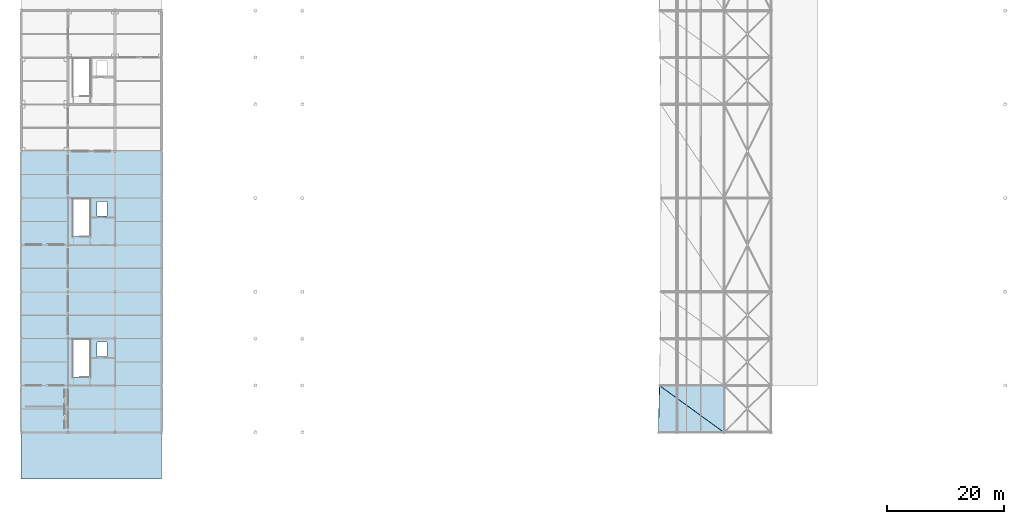
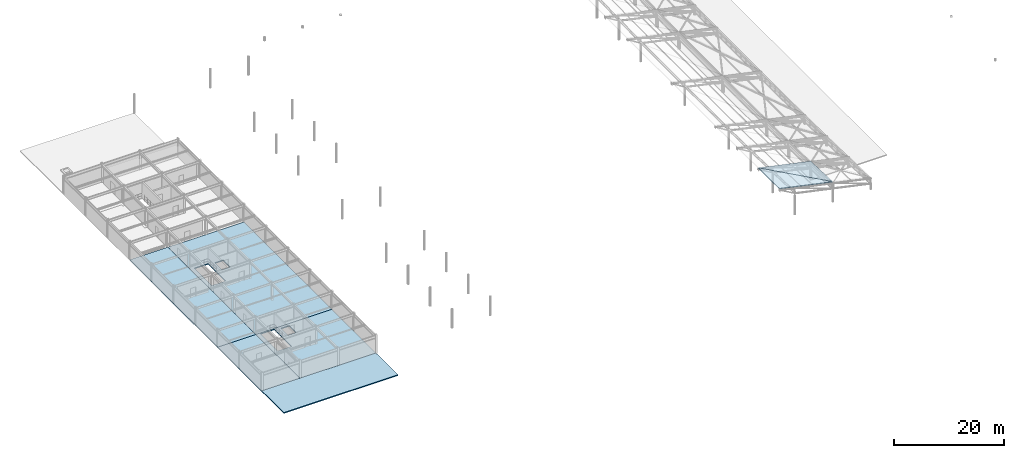
# One storey, part 24 of 41: 7 slabs.
"""IFC4 building model written with IfcOpenShell, lengths in metres."""

import ifcopenshell
import ifcopenshell.guid

model = None  # the IFC model being written
_history = None  # IfcOwnerHistory: only IFC2X3 demands one
_inside = {}  # id of a spatial element -> (the spatial element, [elements in it])
_under = {}  # id of a project, library or spatial element -> (it, [spatial elements below it])
_declared = {}  # id of a project -> (the project, [libraries it declares])
_typed = {}  # id of a type object -> (the type object, [elements of that type])
_made_of = {}  # id of a material, layer set ... -> (it, [elements and type objects made of it])


def new_model(schema):
    """Start an empty IFC model of exactly this schema.

    Asked for "IFC4X3", IfcOpenShell would pick the latest addendum, in which some entities
    have other attributes; the version numbers below select the first issue.
    IFC2X3 requires an IfcOwnerHistory on every rooted entity: one is made here for all.
    """
    global model, _history
    if schema == "IFC4X3":
        model = ifcopenshell.file(schema_version=(4, 3, 0, 0))
    else:
        model = ifcopenshell.file(schema=schema)
    _inside.clear()
    _under.clear()
    _declared.clear()
    _typed.clear()
    _made_of.clear()
    _history = None
    if model.schema == "IFC2X3":
        org = make("IfcOrganization", Name="unknown")
        user = make(
            "IfcPersonAndOrganization",
            ThePerson=make("IfcPerson", FamilyName="unknown"),
            TheOrganization=org,
        )
        app = make(
            "IfcApplication",
            ApplicationDeveloper=org,
            Version="unknown",
            ApplicationFullName="unknown",
            ApplicationIdentifier="unknown",
        )
        _history = make(
            "IfcOwnerHistory",
            OwningUser=user,
            OwningApplication=app,
            ChangeAction="ADDED",
            CreationDate=0,
        )
    return model


def make(cls, **values):
    """One entity of the class cls with the attributes given. An attribute that is None is left unset."""
    return model.create_entity(
        cls, **{name: value for name, value in values.items() if value is not None}
    )


def rooted(cls, **values):
    """An entity with a GlobalId (a new one), such as an element, a storey or a relation."""
    return make(cls, GlobalId=ifcopenshell.guid.new(), OwnerHistory=_history, **values)


def si_unit(unit_type, name, prefix=None):
    """IfcSIUnit, for example si_unit("LENGTHUNIT", "METRE", prefix="MILLI")."""
    return make("IfcSIUnit", UnitType=unit_type, Prefix=prefix, Name=name)


def assignment(units):
    """IfcUnitAssignment: the units of a project."""
    return None if units is None else make("IfcUnitAssignment", Units=units)


def point(xyz):
    """IfcCartesianPoint."""
    return None if xyz is None else make("IfcCartesianPoint", Coordinates=xyz)


def direction(xyz):
    """IfcDirection."""
    return None if xyz is None else make("IfcDirection", DirectionRatios=xyz)


def frame(location, z_axis=None, x_axis=None):
    """IfcAxis2Placement3D, a coordinate frame: its origin and axes. An axis left out is left unset."""
    return make(
        "IfcAxis2Placement3D",
        Location=point(location),
        Axis=direction(z_axis),
        RefDirection=direction(x_axis),
    )


def origin():
    """The frame at (0, 0, 0) with its axes left unset."""
    return frame((0.0, 0.0, 0.0))


def place(relative_to, where):
    """IfcLocalPlacement: puts the frame where relative to a parent placement (None: the world)."""
    return make(
        "IfcLocalPlacement", PlacementRelTo=relative_to, RelativePlacement=where
    )


def context(
    kind, dimensions, precision=None, world=None, true_north=None, identifier=None
):
    """IfcGeometricRepresentationContext, for example the 3D "Model" context."""
    return make(
        "IfcGeometricRepresentationContext",
        ContextIdentifier=identifier,
        ContextType=kind,
        CoordinateSpaceDimension=dimensions,
        Precision=precision,
        WorldCoordinateSystem=world,
        TrueNorth=true_north,
    )


def subcontext(parent, identifier, kind, view, scale=None):
    """IfcGeometricRepresentationSubContext, for example "Body" below "Model"."""
    return make(
        "IfcGeometricRepresentationSubContext",
        ContextIdentifier=identifier,
        ContextType=kind,
        ParentContext=parent,
        TargetScale=scale,
        TargetView=view,
    )


def project(units=None, contexts=None):
    """IfcProject with its units and contexts."""
    return rooted(
        "IfcProject",
        Name="project",
        RepresentationContexts=contexts,
        UnitsInContext=assignment(units),
    )


def spatial(cls, under=None, at=None, **own):
    """A site, building, storey or space (cls), placed at a placement, below another one or the project."""
    s = rooted(cls, ObjectPlacement=at, **own)
    if under is not None:
        _under.setdefault(under.id(), (under, []))[1].append(s)
    return s


def polyline(points):
    """IfcPolyline through the points."""
    return make("IfcPolyline", Points=[point(p) for p in points])


def outline(outer, holes=None, kind="AREA"):
    """IfcArbitraryClosedProfileDef: a profile drawn as a closed curve; with holes, ...WithVoids."""
    if holes is None:
        return make("IfcArbitraryClosedProfileDef", ProfileType=kind, OuterCurve=outer)
    return make(
        "IfcArbitraryProfileDefWithVoids",
        ProfileType=kind,
        OuterCurve=outer,
        InnerCurves=holes,
    )


def extrude(swept, where, along, depth):
    """IfcExtrudedAreaSolid: the profile swept, set in the frame where, extruded along a direction by depth."""
    return make(
        "IfcExtrudedAreaSolid",
        SweptArea=swept,
        Position=where,
        ExtrudedDirection=direction(along),
        Depth=depth,
    )


def shape(context_of_items, identifier, shape_type, items):
    """IfcShapeRepresentation: the items that make up one representation, for example the "Body"."""
    return make(
        "IfcShapeRepresentation",
        ContextOfItems=context_of_items,
        RepresentationIdentifier=identifier,
        RepresentationType=shape_type,
        Items=items,
    )


def material(Name=None, Category=None):
    """IfcMaterial."""
    return make("IfcMaterial", Name=Name, Category=Category)


def layer(
    of_material, thickness, ventilated=None, Name=None, Category=None, Priority=None
):
    """IfcMaterialLayer: one layer of a wall or slab, of a material (None: an air gap)."""
    return make(
        "IfcMaterialLayer",
        Material=of_material,
        LayerThickness=thickness,
        IsVentilated=ventilated,
        Name=Name,
        Category=Category,
        Priority=Priority,
    )


def layer_set(layers, Name=None):
    """IfcMaterialLayerSet."""
    return make("IfcMaterialLayerSet", MaterialLayers=layers, LayerSetName=Name)


def made_of(thing, what):
    """Note that an element or type object is made of a material, layer set ...; save() writes the relation."""
    if what is not None:
        _made_of.setdefault(what.id(), (what, []))[1].append(thing)
    return thing


def type_object(cls, material=None, **own):
    """A type object (cls), such as IfcWallType, which elements share."""
    return made_of(rooted(cls, **own), material)


def element(
    cls,
    number,
    at=None,
    inside=None,
    cuts=None,
    type_object=None,
    material=None,
    context=None,
    identifier="Body",
    shape_type=None,
    held_by="IfcProductDefinitionShape",
    body=None,
    shapes=None,
    **own,
):
    """One element of the class cls, such as IfcWall. Its Tag is "e" and its number.

    at: its placement. inside: the storey or other place that contains it. cuts: it is an
    opening in that element (IfcRelVoidsElement). A single representation is given by context,
    identifier, shape_type and body (its items); several are given by shapes. held_by: the class
    of the entity that holds the representations. save() writes the other relations.
    """
    e = rooted(cls, Tag="e%d" % number, ObjectPlacement=at, **own)
    if body is not None:
        shapes = [shape(context, identifier, shape_type, body)]
    if shapes is not None:
        e.Representation = make(held_by, Representations=shapes)
    if inside is not None:
        _inside.setdefault(inside.id(), (inside, []))[1].append(e)
    if cuts is not None:
        rooted(
            "IfcRelVoidsElement", RelatingBuildingElement=cuts, RelatedOpeningElement=e
        )
    if type_object is not None:
        _typed.setdefault(type_object.id(), (type_object, []))[1].append(e)
    return made_of(e, material)


def aggregate(whole, parts):
    """IfcRelAggregates: a whole, such as a stair, and the parts it consists of."""
    return rooted("IfcRelAggregates", RelatingObject=whole, RelatedObjects=parts)


def save(model, path):
    """Write the relations noted so far, then the file.

    IfcRelAggregates (storeys below a building ...), IfcRelContainedInSpatialStructure (elements
    in a storey), IfcRelDefinesByType, IfcRelAssociatesMaterial and IfcRelDeclares: one each for
    every whole, place, type object, material and project.
    """
    for whole, parts in _under.values():
        aggregate(whole, parts)
    for where, things in _inside.values():
        rooted(
            "IfcRelContainedInSpatialStructure",
            RelatedElements=things,
            RelatingStructure=where,
        )
    for kind, things in _typed.values():
        rooted("IfcRelDefinesByType", RelatedObjects=things, RelatingType=kind)
    for what, things in _made_of.values():
        rooted("IfcRelAssociatesMaterial", RelatedObjects=things, RelatingMaterial=what)
    for by, libraries in _declared.values():
        rooted("IfcRelDeclares", RelatingContext=by, RelatedDefinitions=libraries)
    model.write(path)


model = new_model("IFC4")

# Units and contexts
model_context = context("Model", 3, precision=1e-05, world=origin(), true_north=direction((0.0, 1.0)))
body_context = subcontext(model_context, "Body", "Model", "MODEL_VIEW")
ifc_project = project(units=[si_unit("LENGTHUNIT", "METRE"), si_unit("AREAUNIT", "SQUARE_METRE"), si_unit("VOLUMEUNIT", "CUBIC_METRE"), si_unit("PLANEANGLEUNIT", "RADIAN"), si_unit("MASSUNIT", "GRAM", prefix="KILO")], contexts=[model_context])

# Site, building, storey
site_placement = place(None, origin())
site = spatial("IfcSite", under=ifc_project, at=site_placement, CompositionType="ELEMENT")
building_placement = place(site_placement, origin())
building = spatial("IfcBuilding", under=site, at=building_placement, Name="Haebicheon Civic Stadium", CompositionType="ELEMENT")
storey_placement = place(building_placement, frame((0.0, 0.0, 27.0)))
storey = spatial("IfcBuildingStorey", under=building, at=storey_placement, Name="L07", CompositionType="ELEMENT", Elevation=27.0)

# Slabs
ifc_material_1 = material(Name="White painted steel SM490", Category="steel")
ifc_layer_1 = layer(ifc_material_1, 0.159912109375, Name="White painted steel SM490")
ifc_layer_set_1 = layer_set([ifc_layer_1], Name="White painted steel SM490")
slab_type_1 = type_object("IfcSlabType", Name="SLB-CAN-160", PredefinedType="ROOF", material=ifc_layer_set_1)
slab_1_placement = place(storey_placement, frame((144.0, 48.0, 4.4599609375), z_axis=(0.21006294818, 0.035328794769, 0.977049350884), x_axis=(-0.977659661495, 0.0, 0.210194163299)))
element("IfcSlab", 1, at=slab_1_placement, inside=storey, type_object=slab_type_1, material=ifc_layer_set_1, Name="CAN-EAST curled canopy facet 1.CT-A", PredefinedType="ROOF", context=body_context, shape_type="SweptSolid", body=[
    extrude(outline(polyline([(0.0, 0.0), (11.455879395437805, 0.0), (11.21602784222757, -8.00499717326408), (0.0, 0.0)])), origin(), (0.0, 0.0, -1.0), 0.159912109375),
])
slab_2_placement = place(storey_placement, frame((144.0, 48.0, 4.4599609375), z_axis=(0.210045619132, 0.035303708377, 0.977053983185), x_axis=(-0.80008473718, 0.58056549599, 0.151023568354)))
element("IfcSlab", 2, at=slab_2_placement, inside=storey, type_object=slab_type_1, material=ifc_layer_set_1, Name="CAN-EAST curled canopy facet 1.CT-B", PredefinedType="ROOF", context=body_context, shape_type="SweptSolid", body=[
    extrude(outline(polyline([(0.0, 0.0), (13.779668366894395, -8.881784197001252e-16), (4.600868717690557, -6.550997189091346), (0.0, 0.0)])), origin(), (0.0, 0.0, -1.0), 0.159912109375),
])
ifc_material_2 = material(Name="Concrete C35/45", Category="concrete")
ifc_layer_2 = layer(ifc_material_2, 0.22998046875, Name="Concrete C35/45")
ifc_layer_set_2 = layer_set([ifc_layer_2], Name="Concrete C35/45")
slab_type_2 = type_object("IfcSlabType", Name="SLB-FLR-230", PredefinedType="FLOOR", material=ifc_layer_set_2)
slab_3_placement = place(storey_placement, frame((0.0, 0.0, -0.22998046875)))
element("IfcSlab", 3, at=slab_3_placement, inside=storey, type_object=slab_type_2, material=ifc_layer_set_2, Name="L07 V1 structural slab 1.1", PredefinedType="FLOOR", context=body_context, shape_type="SweptSolid", body=[
    extrude(outline(polyline([(32.0, 48.0), (24.0, 48.0), (24.0, 56.0), (24.0, 64.0), (32.0, 64.0), (32.0, 56.0), (32.0, 48.0)])), origin(), (0.0, 0.0, 1.0), 0.22998046875),
])
slab_4_placement = place(storey_placement, frame((0.0, 0.0, -0.22998046875)))
element("IfcSlab", 4, at=slab_4_placement, inside=storey, type_object=slab_type_2, material=ifc_layer_set_2, Name="L07 V1 structural slab 2.1", PredefinedType="FLOOR", context=body_context, shape_type="SweptSolid", body=[
    extrude(outline(polyline([(24.0, 64.0), (24.0, 72.0), (24.0, 80.0), (24.0, 88.0), (24.0, 96.0), (32.0, 96.0), (32.0, 88.0), (32.0, 80.0), (32.0, 72.0), (32.0, 64.0), (24.0, 64.0)])), origin(), (0.0, 0.0, 1.0), 0.22998046875),
])
slab_5_placement = place(storey_placement, frame((0.0, 0.0, -0.22998046875)))
element("IfcSlab", 5, at=slab_5_placement, inside=storey, type_object=slab_type_2, material=ifc_layer_set_2, Name="L07 V1 structural slab 4.1", PredefinedType="FLOOR", context=body_context, shape_type="SweptSolid", body=[
    extrude(outline(polyline([(32.0, 56.0), (32.0, 64.0), (40.0, 64.0), (48.0, 64.0), (48.0, 56.0), (48.0, 48.0), (40.0, 48.0), (32.0, 48.0), (32.0, 56.0)]), holes=[polyline([(32.840087890625, 57.4599609375), (35.739990234375, 57.4599609375), (35.739990234375, 63.840087890625), (32.840087890625, 63.840087890625), (32.840087890625, 57.4599609375)]), polyline([(36.969970703125, 60.929931640625), (38.669921875, 60.929931640625), (38.669921875, 63.429931640625), (36.969970703125, 63.429931640625), (36.969970703125, 60.929931640625)])]), origin(), (0.0, 0.0, 1.0), 0.22998046875),
])
slab_6_placement = place(storey_placement, frame((0.0, 0.0, -0.22998046875)))
element("IfcSlab", 6, at=slab_6_placement, inside=storey, type_object=slab_type_2, material=ifc_layer_set_2, Name="L07 V1 structural slab 5.1", PredefinedType="FLOOR", context=body_context, shape_type="SweptSolid", body=[
    extrude(outline(polyline([(32.0, 80.0), (32.0, 88.0), (32.0, 96.0), (40.0, 96.0), (48.0, 96.0), (48.0, 88.0), (48.0, 80.0), (48.0, 72.0), (48.0, 64.0), (40.0, 64.0), (32.0, 64.0), (32.0, 72.0), (32.0, 80.0)]), holes=[polyline([(32.840087890625, 81.4599609375), (35.739990234375, 81.4599609375), (35.739990234375, 87.840087890625), (32.840087890625, 87.840087890625), (32.840087890625, 81.4599609375)]), polyline([(36.969970703125, 84.929931640625), (38.669921875, 84.929931640625), (38.669921875, 87.429931640625), (36.969970703125, 87.429931640625), (36.969970703125, 84.929931640625)])]), origin(), (0.0, 0.0, 1.0), 0.22998046875),
])
ifc_material_3 = material(Name="Concrete C40/50", Category="concrete")
ifc_layer_3 = layer(ifc_material_3, 0.219970703125, Name="Concrete C40/50")
ifc_layer_set_3 = layer_set([ifc_layer_3], Name="Concrete C40/50")
slab_type_3 = type_object("IfcSlabType", Name="SLB-ROOF-220", PredefinedType="ROOF", material=ifc_layer_set_3)
slab_7_placement = place(storey_placement, frame((0.0, 0.0, -0.219970703125)))
element("IfcSlab", 7, at=slab_7_placement, inside=storey, type_object=slab_type_3, material=ifc_layer_set_3, Name="L07 V1 roof deck slab 1", PredefinedType="ROOF", context=body_context, shape_type="SweptSolid", body=[
    extrude(outline(polyline([(24.0, 48.0), (48.0, 48.0), (48.0, 40.0), (24.0, 40.0), (24.0, 48.0)])), origin(), (0.0, 0.0, 1.0), 0.219970703125),
])

save(model, "model.ifc")
